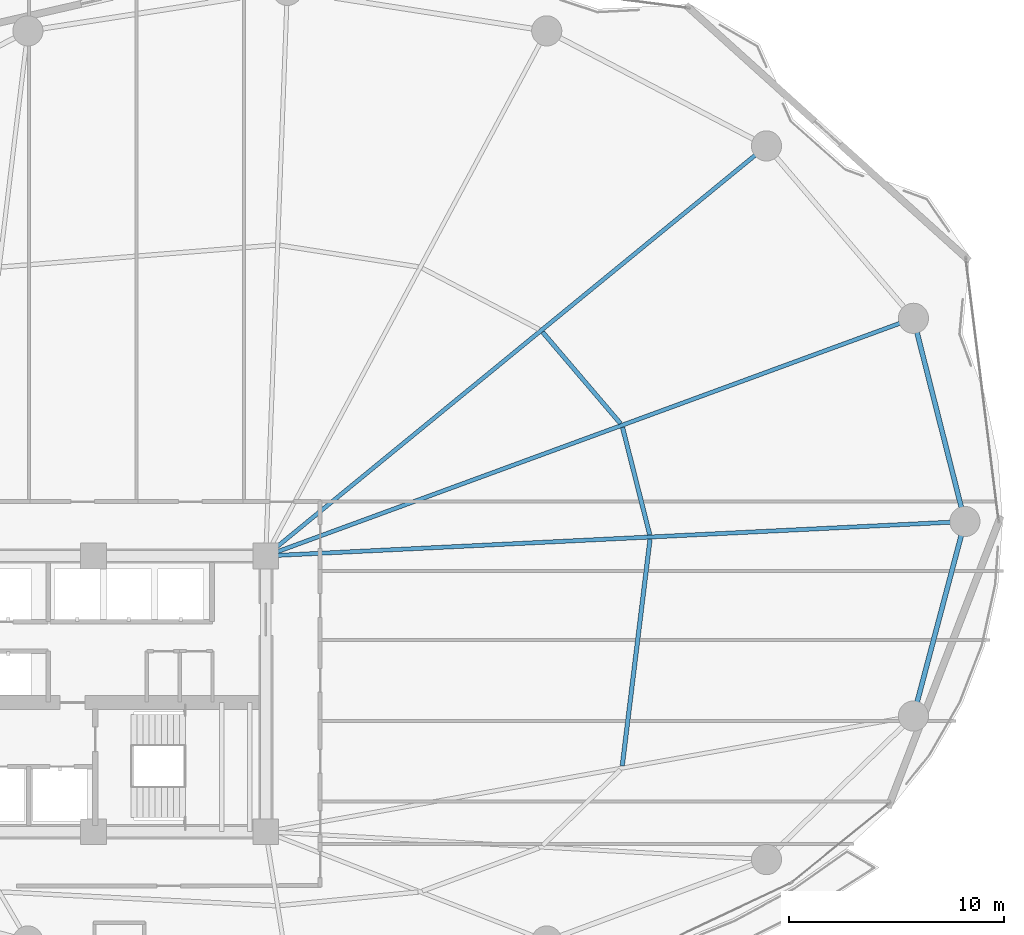
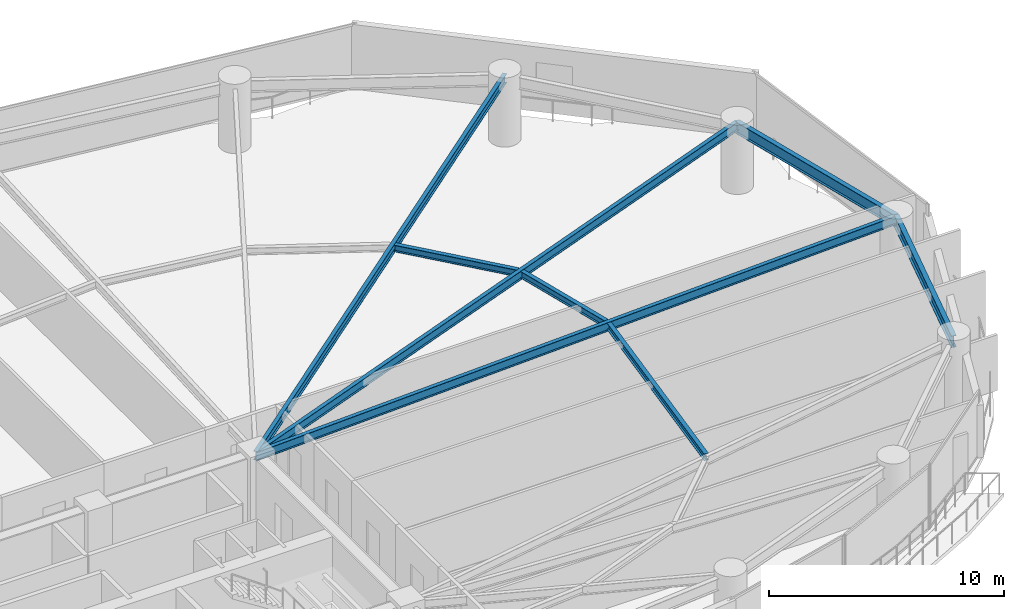
# One storey, part 16 of 30: 8 beams.
"""IFC4 building model written with IfcOpenShell, lengths in metres."""

from ifc_helpers import new_model, si_unit, direction, frame, origin, origin_2d, place, context, subcontext, project, spatial, i_section, extrude, material, material_profile, profile_set, type_object, element, save


model = new_model("IFC4")

# Units and contexts
model_context = context("Model", 3, precision=1e-05, world=origin(), true_north=direction((0.0, 1.0)))
body_context = subcontext(model_context, "Body", "Model", "MODEL_VIEW")
ifc_project = project(units=[si_unit("LENGTHUNIT", "METRE"), si_unit("AREAUNIT", "SQUARE_METRE"), si_unit("VOLUMEUNIT", "CUBIC_METRE"), si_unit("PLANEANGLEUNIT", "RADIAN"), si_unit("MASSUNIT", "GRAM", prefix="KILO")], contexts=[model_context])

# Site, building, storey
site_placement = place(None, origin())
site = spatial("IfcSite", under=ifc_project, at=site_placement, CompositionType="ELEMENT")
building_placement = place(site_placement, origin())
building = spatial("IfcBuilding", under=site, at=building_placement, Name="Kazevale Care Tower and Concert Hall", CompositionType="ELEMENT")
storey_placement = place(building_placement, frame((0.0, 0.0, 74.39990234375)))
storey = spatial("IfcBuildingStorey", under=building, at=storey_placement, Name="L19", CompositionType="ELEMENT", Elevation=74.39990234375)

# Beams
ifc_material = material(Name="Steel ASTM A572 Gr 50", Category="steel")
ifc_material_profile_1 = material_profile(ifc_material, i_section(OverallWidth=0.19091796875, OverallDepth=0.4599609375, WebThickness=0.010009765625, FlangeThickness=0.01611328125, at=origin_2d()), Name="W460x82")
ifc_profile_set_1 = profile_set([ifc_material_profile_1], Name="Steel ASTM A572 Gr 50")
beam_type_1 = type_object("IfcBeamType", Name="Radial Floor Beam W460x82", PredefinedType="BEAM", material=ifc_profile_set_1)
beam_1_placement = place(storey_placement, frame((44.0, 36.39990234375, 3.130126953125), z_axis=(0.998786488782, 0.049249871327, 0.0), x_axis=(-0.049249871327, 0.998786488782, 0.0)))
element("IfcBeam", 1, at=beam_1_placement, inside=storey, type_object=beam_type_1, Name="beam:L19:rad:01", PredefinedType="BEAM", context=body_context, shape_type="SweptSolid", body=[
    extrude(i_section(OverallWidth=0.19091796875, OverallDepth=0.4599609375, WebThickness=0.010009765625, FlangeThickness=0.01611328125, at=origin_2d()), origin(), (0.0, 0.0, 1.0), 32.4892578125),
])
beam_2_placement = place(storey_placement, frame((44.0, 36.39990234375, 3.130126953125), z_axis=(0.938795458019, 0.34447509054, 0.0), x_axis=(-0.34447509054, 0.938795458019, 0.0)))
element("IfcBeam", 2, at=beam_2_placement, inside=storey, type_object=beam_type_1, Name="beam:L19:rad:02", PredefinedType="BEAM", context=body_context, shape_type="SweptSolid", body=[
    extrude(i_section(OverallWidth=0.19091796875, OverallDepth=0.4599609375, WebThickness=0.010009765625, FlangeThickness=0.01611328125, at=origin_2d()), origin(), (0.0, 0.0, 1.0), 32.019775390625),
])
beam_3_placement = place(storey_placement, frame((44.0, 36.39990234375, 3.130126953125), z_axis=(0.773704467398, 0.633546681097, 0.0), x_axis=(-0.633546681097, 0.773704467398, 0.0)))
element("IfcBeam", 3, at=beam_3_placement, inside=storey, type_object=beam_type_1, Name="beam:L19:rad:03", PredefinedType="BEAM", context=body_context, shape_type="SweptSolid", body=[
    extrude(i_section(OverallWidth=0.19091796875, OverallDepth=0.4599609375, WebThickness=0.010009765625, FlangeThickness=0.01611328125, at=origin_2d()), origin(), (0.0, 0.0, 1.0), 30.037353515625),
])
ifc_material_profile_2 = material_profile(ifc_material, i_section(OverallWidth=0.22900390625, OverallDepth=0.612060546875, WebThickness=0.011962890625, FlangeThickness=0.01953125, at=origin_2d()), Name="W610x125")
ifc_profile_set_2 = profile_set([ifc_material_profile_2], Name="Steel ASTM A572 Gr 50")
beam_type_2 = type_object("IfcBeamType", Name="Ring Spandrel Beam W610x125", PredefinedType="SPANDREL", material=ifc_profile_set_2)
beam_4_placement = place(storey_placement, frame((76.449951171875, 38.0, 3.05419921875), z_axis=(-0.245669948409, 0.969353535326, 0.0), x_axis=(-0.969353535326, -0.245669948409, 0.0)))
element("IfcBeam", 4, at=beam_4_placement, inside=storey, type_object=beam_type_2, Name="beam:L19:ring:01", PredefinedType="SPANDREL", context=body_context, shape_type="SweptSolid", body=[
    extrude(i_section(OverallWidth=0.22900390625, OverallDepth=0.612060546875, WebThickness=0.011962890625, FlangeThickness=0.01953125, at=origin_2d()), origin(), (0.0, 0.0, 1.0), 9.72802734375),
])
beam_5_placement = place(storey_placement, frame((74.06005859375, 28.969970703125, 3.05419921875), z_axis=(0.255851611973, 0.966716066201, 0.0), x_axis=(-0.966716066201, 0.255851611973, 0.0)))
element("IfcBeam", 5, at=beam_5_placement, inside=storey, type_object=beam_type_2, Name="beam:L19:ring:16", PredefinedType="SPANDREL", context=body_context, shape_type="SweptSolid", body=[
    extrude(i_section(OverallWidth=0.22900390625, OverallDepth=0.612060546875, WebThickness=0.011962890625, FlangeThickness=0.01953125, at=origin_2d()), origin(), (0.0, 0.0, 1.0), 9.3408203125),
])
ifc_material_profile_3 = material_profile(ifc_material, i_section(OverallWidth=0.205078125, OverallDepth=0.35400390625, WebThickness=0.009521484375, FlangeThickness=0.016845703125, at=origin_2d()), Name="W360x79")
ifc_profile_set_3 = profile_set([ifc_material_profile_3], Name="Steel ASTM A572 Gr 50")
beam_type_3 = type_object("IfcBeamType", Name="Secondary Floor Joist W360x79", PredefinedType="JOIST", material=ifc_profile_set_3)
beam_6_placement = place(storey_placement, frame((61.822021484375, 37.382080078125, 3.18310546875), z_axis=(-0.24568570229, 0.969349542575, 0.0), x_axis=(-0.969349542575, -0.24568570229, 0.0)))
element("IfcBeam", 6, at=beam_6_placement, inside=storey, type_object=beam_type_3, Name="beam:L19:joist:01", PredefinedType="JOIST", context=body_context, shape_type="SweptSolid", body=[
    extrude(i_section(OverallWidth=0.205078125, OverallDepth=0.35400390625, WebThickness=0.009521484375, FlangeThickness=0.016845703125, at=origin_2d()), origin(), (0.0, 0.0, 1.0), 5.140380859375),
])
beam_7_placement = place(storey_placement, frame((60.465087890625, 42.5458984375, 3.18310546875), z_axis=(-0.648685510477, 0.761056573783, 0.0), x_axis=(-0.761056573783, -0.648685510477, 0.0)))
element("IfcBeam", 7, at=beam_7_placement, inside=storey, type_object=beam_type_3, Name="beam:L19:joist:02", PredefinedType="JOIST", context=body_context, shape_type="SweptSolid", body=[
    extrude(i_section(OverallWidth=0.205078125, OverallDepth=0.35400390625, WebThickness=0.009521484375, FlangeThickness=0.016845703125, at=origin_2d()), origin(), (0.0, 0.0, 1.0), 5.57275390625),
])
beam_8_placement = place(storey_placement, frame((60.5458984375, 26.657958984375, 3.18310546875), z_axis=(0.1216468088, 0.992573450133, 0.0), x_axis=(-0.992573450133, 0.1216468088, 0.0)))
element("IfcBeam", 8, at=beam_8_placement, inside=storey, type_object=beam_type_3, Name="beam:L19:joist:16", PredefinedType="JOIST", context=body_context, shape_type="SweptSolid", body=[
    extrude(i_section(OverallWidth=0.205078125, OverallDepth=0.35400390625, WebThickness=0.009521484375, FlangeThickness=0.016845703125, at=origin_2d()), origin(), (0.0, 0.0, 1.0), 10.5966796875),
])

save(model, "model.ifc")
